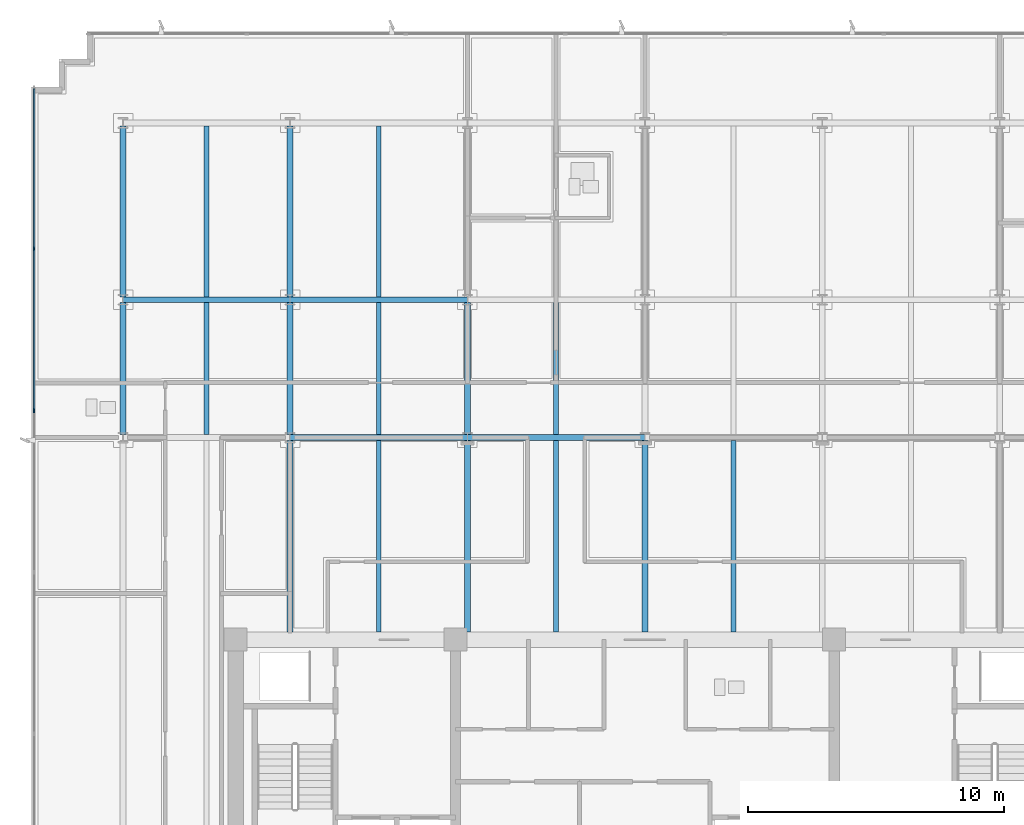
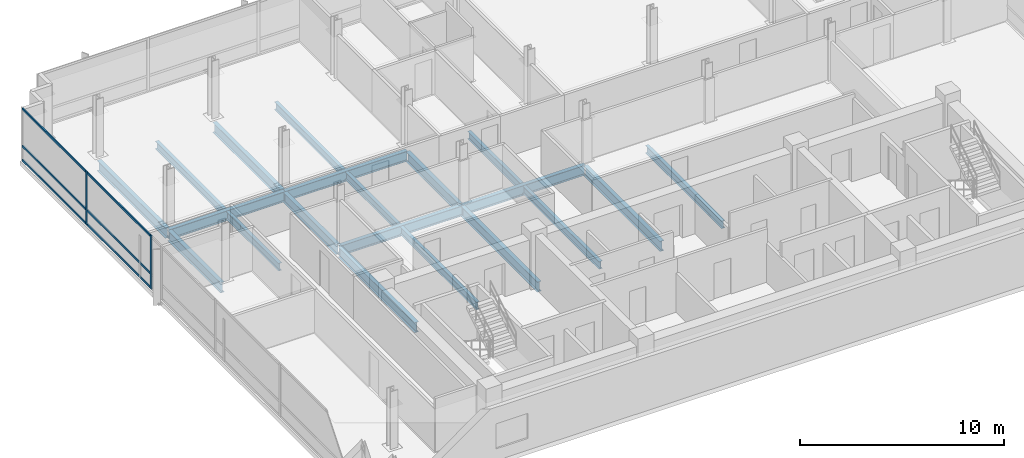
# One storey, part 4 of 18: 20 beams, 8 members, 1 element without a shape of its own.
"""IFC4 building model written with IfcOpenShell, lengths in metres."""

from ifc_helpers import new_model, si_unit, direction, frame, origin, origin_2d, place, context, subcontext, project, spatial, rectangle, i_section, extrude, material, material_profile, profile_set, type_object, element, aggregate, save


model = new_model("IFC4")

# Units and contexts
model_context = context("Model", 3, precision=1e-05, world=origin(), true_north=direction((0.0, 1.0)))
body_context = subcontext(model_context, "Body", "Model", "MODEL_VIEW")
ifc_project = project(units=[si_unit("LENGTHUNIT", "METRE"), si_unit("AREAUNIT", "SQUARE_METRE"), si_unit("VOLUMEUNIT", "CUBIC_METRE"), si_unit("PLANEANGLEUNIT", "RADIAN"), si_unit("MASSUNIT", "GRAM", prefix="KILO")], contexts=[model_context])

# Site, building, storey
site_placement = place(None, origin())
site = spatial("IfcSite", under=ifc_project, at=site_placement, CompositionType="ELEMENT")
building_placement = place(site_placement, origin())
building = spatial("IfcBuilding", under=site, at=building_placement, Name="Solmavex Isthmus Hotel", CompositionType="ELEMENT")
storey_placement = place(building_placement, frame((0.0, 0.0, 283.35009765625)))
storey = spatial("IfcBuildingStorey", under=building, at=storey_placement, Name="L77", CompositionType="ELEMENT", Elevation=283.35009765625)

# Beams
ifc_material_1 = material(Name="Steel ASTM A992 Grade 50", Category="steel")
ifc_material_profile_1 = material_profile(ifc_material_1, i_section(OverallWidth=0.1904296875, OverallDepth=0.456787109375, WebThickness=0.009033203125, FlangeThickness=0.014404296875, FilletRadius=0.0126953125, at=origin_2d()), Name="W18X50")
ifc_profile_set_1 = profile_set([ifc_material_profile_1], Name="Steel ASTM A992 Grade 50")
beam_type_1 = type_object("IfcBeamType", Name="BM-BJ-W18X50", PredefinedType="JOIST", material=ifc_profile_set_1)
beam_1_placement = place(storey_placement, frame((-17.135986328125, 5.513916015625, -0.488525390625), z_axis=(0.0, 1.0, 0.0), x_axis=(-1.0, 0.0, 0.0)))
element("IfcBeam", 1, at=beam_1_placement, inside=storey, type_object=beam_type_1, Name="Secondary Floor Joist L77-J02", PredefinedType="JOIST", context=body_context, shape_type="SweptSolid", body=[
    extrude(i_section(OverallWidth=0.1904296875, OverallDepth=0.456787109375, WebThickness=0.009033203125, FlangeThickness=0.014404296875, FilletRadius=0.0126953125, at=origin_2d()), origin(), (0.0, 0.0, 1.0), 5.16015625),
])
beam_2_placement = place(storey_placement, frame((-17.135986328125, 10.90185546875, -0.488525390625), z_axis=(0.0, 1.0, 0.0), x_axis=(-1.0, 0.0, 0.0)))
element("IfcBeam", 2, at=beam_2_placement, inside=storey, type_object=beam_type_1, Name="Secondary Floor Joist L77-J03", PredefinedType="JOIST", context=body_context, shape_type="SweptSolid", body=[
    extrude(i_section(OverallWidth=0.1904296875, OverallDepth=0.456787109375, WebThickness=0.009033203125, FlangeThickness=0.014404296875, FilletRadius=0.0126953125, at=origin_2d()), origin(), (0.0, 0.0, 1.0), 6.682861328125),
])
beam_3_placement = place(storey_placement, frame((-10.404052734375, -2.199951171875, -0.488525390625), z_axis=(0.0, 1.0, 0.0), x_axis=(-1.0, 0.0, 0.0)))
element("IfcBeam", 3, at=beam_3_placement, inside=storey, type_object=beam_type_1, Name="Secondary Floor Joist L77-J04", PredefinedType="JOIST", context=body_context, shape_type="SweptSolid", body=[
    extrude(i_section(OverallWidth=0.1904296875, OverallDepth=0.456787109375, WebThickness=0.009033203125, FlangeThickness=0.014404296875, FilletRadius=0.0126953125, at=origin_2d()), origin(), (0.0, 0.0, 1.0), 7.486083984375),
])
beam_4_placement = place(storey_placement, frame((-10.404052734375, 5.513916015625, -0.488525390625), z_axis=(0.0, 1.0, 0.0), x_axis=(-1.0, 0.0, 0.0)))
element("IfcBeam", 4, at=beam_4_placement, inside=storey, type_object=beam_type_1, Name="Secondary Floor Joist L77-J05", PredefinedType="JOIST", context=body_context, shape_type="SweptSolid", body=[
    extrude(i_section(OverallWidth=0.1904296875, OverallDepth=0.456787109375, WebThickness=0.009033203125, FlangeThickness=0.014404296875, FilletRadius=0.0126953125, at=origin_2d()), origin(), (0.0, 0.0, 1.0), 5.16015625),
])
beam_5_placement = place(storey_placement, frame((-10.404052734375, 10.90185546875, -0.488525390625), z_axis=(0.0, 1.0, 0.0), x_axis=(-1.0, 0.0, 0.0)))
element("IfcBeam", 5, at=beam_5_placement, inside=storey, type_object=beam_type_1, Name="Secondary Floor Joist L77-J06", PredefinedType="JOIST", context=body_context, shape_type="SweptSolid", body=[
    extrude(i_section(OverallWidth=0.1904296875, OverallDepth=0.456787109375, WebThickness=0.009033203125, FlangeThickness=0.014404296875, FilletRadius=0.0126953125, at=origin_2d()), origin(), (0.0, 0.0, 1.0), 6.682861328125),
])
beam_6_placement = place(storey_placement, frame((-3.468017578125, -2.199951171875, -0.488525390625), z_axis=(0.0, 1.0, 0.0), x_axis=(-1.0, 0.0, 0.0)))
element("IfcBeam", 6, at=beam_6_placement, inside=storey, type_object=beam_type_1, Name="Secondary Floor Joist L77-J07", PredefinedType="JOIST", context=body_context, shape_type="SweptSolid", body=[
    extrude(i_section(OverallWidth=0.1904296875, OverallDepth=0.456787109375, WebThickness=0.009033203125, FlangeThickness=0.014404296875, FilletRadius=0.0126953125, at=origin_2d()), origin(), (0.0, 0.0, 1.0), 7.486083984375),
])
beam_7_placement = place(storey_placement, frame((-3.468017578125, 5.513916015625, -0.488525390625), z_axis=(0.0, 1.0, 0.0), x_axis=(-1.0, 0.0, 0.0)))
element("IfcBeam", 7, at=beam_7_placement, inside=storey, type_object=beam_type_1, Name="Secondary Floor Joist L77-J08", PredefinedType="JOIST", context=body_context, shape_type="SweptSolid", body=[
    extrude(i_section(OverallWidth=0.1904296875, OverallDepth=0.456787109375, WebThickness=0.009033203125, FlangeThickness=0.014404296875, FilletRadius=0.0126953125, at=origin_2d()), origin(), (0.0, 0.0, 1.0), 5.16015625),
])
beam_8_placement = place(storey_placement, frame((3.468017578125, -2.199951171875, -0.488525390625), z_axis=(0.0, 1.0, 0.0), x_axis=(-1.0, 0.0, 0.0)))
element("IfcBeam", 8, at=beam_8_placement, inside=storey, type_object=beam_type_1, Name="Secondary Floor Joist L77-J10", PredefinedType="JOIST", context=body_context, shape_type="SweptSolid", body=[
    extrude(i_section(OverallWidth=0.1904296875, OverallDepth=0.456787109375, WebThickness=0.009033203125, FlangeThickness=0.014404296875, FilletRadius=0.0126953125, at=origin_2d()), origin(), (0.0, 0.0, 1.0), 7.486083984375),
])
ifc_material_profile_2 = material_profile(ifc_material_1, i_section(OverallWidth=0.227783203125, OverallDepth=0.602783203125, WebThickness=0.010498046875, FlangeThickness=0.014892578125, FilletRadius=0.01513671875, at=origin_2d()), Name="W24X68")
ifc_profile_set_2 = profile_set([ifc_material_profile_2], Name="Steel ASTM A992 Grade 50")
beam_type_2 = type_object("IfcBeamType", Name="BM-BM-W24X68", PredefinedType="BEAM", material=ifc_profile_set_2)
for number, where, z_axis, x_axis, name in (
    (9, (-13.8720703125, 5.39990234375, -0.5615234375), (1.0, 0.0, 0.0), (0.0, 1.0, 0.0), "Floor Girder L77-UG04"),
    (10, (-6.93603515625, 5.39990234375, -0.5615234375), (1.0, 0.0, 0.0), (0.0, 1.0, 0.0), "Floor Girder L77-UG05"),
):
    element("IfcBeam", number, at=place(storey_placement, frame(where, z_axis=z_axis, x_axis=x_axis)), inside=storey, type_object=beam_type_2, Name=name, PredefinedType="BEAM", context=body_context, shape_type="SweptSolid", body=[
        extrude(i_section(OverallWidth=0.227783203125, OverallDepth=0.602783203125, WebThickness=0.010498046875, FlangeThickness=0.014892578125, FilletRadius=0.01513671875, at=origin_2d()), origin(), (0.0, 0.0, 1.0), 6.93603515625),
    ])
beam_9_placement = place(storey_placement, frame((-20.39990234375, 10.7880859375, -0.5615234375), z_axis=(1.0, 0.0, 0.0), x_axis=(0.0, 1.0, 0.0)))
element("IfcBeam", 11, at=beam_9_placement, inside=storey, type_object=beam_type_2, Name="Floor Girder L77-UG09", PredefinedType="BEAM", context=body_context, shape_type="SweptSolid", body=[
    extrude(i_section(OverallWidth=0.227783203125, OverallDepth=0.602783203125, WebThickness=0.010498046875, FlangeThickness=0.014892578125, FilletRadius=0.01513671875, at=origin_2d()), origin(), (0.0, 0.0, 1.0), 6.52783203125),
])
beam_10_placement = place(storey_placement, frame((-13.8720703125, 10.7880859375, -0.5615234375), z_axis=(1.0, 0.0, 0.0), x_axis=(0.0, 1.0, 0.0)))
element("IfcBeam", 12, at=beam_10_placement, inside=storey, type_object=beam_type_2, Name="Floor Girder L77-UG10", PredefinedType="BEAM", context=body_context, shape_type="SweptSolid", body=[
    extrude(i_section(OverallWidth=0.227783203125, OverallDepth=0.602783203125, WebThickness=0.010498046875, FlangeThickness=0.014892578125, FilletRadius=0.01513671875, at=origin_2d()), origin(), (0.0, 0.0, 1.0), 6.93603515625),
])
beam_11_placement = place(storey_placement, frame((-13.8720703125, -2.199951171875, -0.5615234375), z_axis=(0.0, 1.0, 0.0), x_axis=(-1.0, 0.0, 0.0)))
element("IfcBeam", 13, at=beam_11_placement, inside=storey, type_object=beam_type_2, Name="Floor Beam L77-VG24", PredefinedType="BEAM", context=body_context, shape_type="SweptSolid", body=[
    extrude(i_section(OverallWidth=0.227783203125, OverallDepth=0.602783203125, WebThickness=0.010498046875, FlangeThickness=0.014892578125, FilletRadius=0.01513671875, at=origin_2d()), origin(), (0.0, 0.0, 1.0), 7.486083984375),
])
beam_12_placement = place(storey_placement, frame((-13.8720703125, 5.513916015625, -0.5615234375), z_axis=(0.0, 1.0, 0.0), x_axis=(-1.0, 0.0, 0.0)))
element("IfcBeam", 14, at=beam_12_placement, inside=storey, type_object=beam_type_2, Name="Floor Beam L77-VG25", PredefinedType="BEAM", context=body_context, shape_type="SweptSolid", body=[
    extrude(i_section(OverallWidth=0.227783203125, OverallDepth=0.602783203125, WebThickness=0.010498046875, FlangeThickness=0.014892578125, FilletRadius=0.01513671875, at=origin_2d()), origin(), (0.0, 0.0, 1.0), 5.16015625),
])
beam_13_placement = place(storey_placement, frame((-13.8720703125, 10.90185546875, -0.5615234375), z_axis=(0.0, 1.0, 0.0), x_axis=(-1.0, 0.0, 0.0)))
element("IfcBeam", 15, at=beam_13_placement, inside=storey, type_object=beam_type_2, Name="Floor Beam L77-VG26", PredefinedType="BEAM", context=body_context, shape_type="SweptSolid", body=[
    extrude(i_section(OverallWidth=0.227783203125, OverallDepth=0.602783203125, WebThickness=0.010498046875, FlangeThickness=0.014892578125, FilletRadius=0.01513671875, at=origin_2d()), origin(), (0.0, 0.0, 1.0), 6.682861328125),
])
beam_14_placement = place(storey_placement, frame((-6.93603515625, -2.199951171875, -0.5615234375), z_axis=(0.0, 1.0, 0.0), x_axis=(-1.0, 0.0, 0.0)))
element("IfcBeam", 16, at=beam_14_placement, inside=storey, type_object=beam_type_2, Name="Floor Beam L77-VG27", PredefinedType="BEAM", context=body_context, shape_type="SweptSolid", body=[
    extrude(i_section(OverallWidth=0.227783203125, OverallDepth=0.602783203125, WebThickness=0.010498046875, FlangeThickness=0.014892578125, FilletRadius=0.01513671875, at=origin_2d()), origin(), (0.0, 0.0, 1.0), 7.486083984375),
])
beam_15_placement = place(storey_placement, frame((-6.93603515625, 5.513916015625, -0.5615234375), z_axis=(0.0, 1.0, 0.0), x_axis=(-1.0, 0.0, 0.0)))
element("IfcBeam", 17, at=beam_15_placement, inside=storey, type_object=beam_type_2, Name="Floor Beam L77-VG28", PredefinedType="BEAM", context=body_context, shape_type="SweptSolid", body=[
    extrude(i_section(OverallWidth=0.227783203125, OverallDepth=0.602783203125, WebThickness=0.010498046875, FlangeThickness=0.014892578125, FilletRadius=0.01513671875, at=origin_2d()), origin(), (0.0, 0.0, 1.0), 5.16015625),
])
beam_16_placement = place(storey_placement, frame((0.0, -2.199951171875, -0.5615234375), z_axis=(0.0, 1.0, 0.0), x_axis=(-1.0, 0.0, 0.0)))
element("IfcBeam", 18, at=beam_16_placement, inside=storey, type_object=beam_type_2, Name="Floor Beam L77-VG30", PredefinedType="BEAM", context=body_context, shape_type="SweptSolid", body=[
    extrude(i_section(OverallWidth=0.227783203125, OverallDepth=0.602783203125, WebThickness=0.010498046875, FlangeThickness=0.014892578125, FilletRadius=0.01513671875, at=origin_2d()), origin(), (0.0, 0.0, 1.0), 7.486083984375),
])
ifc_material_profile_3 = material_profile(ifc_material_1, i_section(OverallWidth=0.230224609375, OverallDepth=0.617431640625, WebThickness=0.01318359375, FlangeThickness=0.022216796875, FilletRadius=0.01513671875, at=origin_2d()), Name="W24X94")
ifc_profile_set_3 = profile_set([ifc_material_profile_3], Name="Steel ASTM A992 Grade 50")
beam_type_3 = type_object("IfcBeamType", Name="BM-SP-W24X94", PredefinedType="SPANDREL", material=ifc_profile_set_3)
beam_17_placement = place(storey_placement, frame((-20.39990234375, 5.513916015625, -0.56884765625), z_axis=(0.0, 1.0, 0.0), x_axis=(-1.0, 0.0, 0.0)))
element("IfcBeam", 19, at=beam_17_placement, inside=storey, type_object=beam_type_3, Name="Floor Beam L77-VG22", PredefinedType="SPANDREL", context=body_context, shape_type="SweptSolid", body=[
    extrude(i_section(OverallWidth=0.230224609375, OverallDepth=0.617431640625, WebThickness=0.01318359375, FlangeThickness=0.022216796875, FilletRadius=0.01513671875, at=origin_2d()), origin(), (0.0, 0.0, 1.0), 5.16015625),
])
beam_18_placement = place(storey_placement, frame((-20.39990234375, 10.90185546875, -0.56884765625), z_axis=(0.0, 1.0, 0.0), x_axis=(-1.0, 0.0, 0.0)))
element("IfcBeam", 20, at=beam_18_placement, inside=storey, type_object=beam_type_3, Name="Floor Beam L77-VG23", PredefinedType="SPANDREL", context=body_context, shape_type="SweptSolid", body=[
    extrude(i_section(OverallWidth=0.230224609375, OverallDepth=0.617431640625, WebThickness=0.01318359375, FlangeThickness=0.022216796875, FilletRadius=0.01513671875, at=origin_2d()), origin(), (0.0, 0.0, 1.0), 6.682861328125),
])

# Curtain wall, members
ifc_material_2 = material(Name="Aluminium alloy 6063-T6", Category="aluminium")
curtain_wall_type = type_object("IfcCurtainWallType", Name="CW-SYS-05", PredefinedType="NOTDEFINED", material=ifc_material_2)
curtain_wall_placement = place(storey_placement, origin())
curtain_wall = element("IfcCurtainWall", 21, at=curtain_wall_placement, inside=storey, type_object=curtain_wall_type, Name="Stick Curtain Wall CWL-L77-W1", PredefinedType="NOTDEFINED")
ifc_material_profile_4 = material_profile(ifc_material_2, rectangle(XDim=0.06494140625, YDim=0.159912109375, at=origin_2d()), Name="CWM-65X160")
ifc_profile_set_4 = profile_set([ifc_material_profile_4], Name="Aluminium alloy 6063-T6")
member_type_1 = type_object("IfcMemberType", Name="CW-SYS-05-MUL", PredefinedType="MULLION", material=ifc_profile_set_4)
member_1_placement = place(storey_placement, frame((-23.8798828125, 6.4599609375, 0.0), z_axis=(0.0, 0.0, 1.0), x_axis=(-1.0, 0.0, 0.0)))
member_1 = element("IfcMember", 22, at=member_1_placement, type_object=member_type_1, Name="CW-05 mullion 4", PredefinedType="MULLION", context=body_context, shape_type="SweptSolid", body=[
    extrude(rectangle(XDim=0.06494140625, YDim=0.159912109375, at=origin_2d()), origin(), (0.0, 0.0, 1.0), 3.18994140625),
])
member_2_placement = place(storey_placement, frame((-23.8798828125, 12.780029296875, 0.0), z_axis=(0.0, 0.0, 1.0), x_axis=(-1.0, 0.0, 0.0)))
member_2 = element("IfcMember", 23, at=member_2_placement, type_object=member_type_1, Name="CW-05 mullion 5", PredefinedType="MULLION", context=body_context, shape_type="SweptSolid", body=[
    extrude(rectangle(XDim=0.06494140625, YDim=0.159912109375, at=origin_2d()), origin(), (0.0, 0.0, 1.0), 3.18994140625),
])
ifc_material_profile_5 = material_profile(ifc_material_2, rectangle(XDim=0.06494140625, YDim=0.125, at=origin_2d()), Name="CWT-65X125")
ifc_profile_set_5 = profile_set([ifc_material_profile_5], Name="Aluminium alloy 6063-T6")
member_type_2 = type_object("IfcMemberType", Name="CW-SYS-05-TRN", PredefinedType="USERDEFINED", material=ifc_profile_set_5)
member_3_placement = place(storey_placement, frame((-23.8798828125, 6.492431640625, 0.0625), z_axis=(0.0, 1.0, 0.0), x_axis=(-1.0, 0.0, 0.0)))
member_3 = element("IfcMember", 24, at=member_3_placement, type_object=member_type_2, Name="CW-05 transom 4.1", ObjectType="TRANSOM", PredefinedType="USERDEFINED", context=body_context, shape_type="SweptSolid", body=[
    extrude(rectangle(XDim=0.06494140625, YDim=0.125, at=origin_2d()), origin(), (0.0, 0.0, 1.0), 6.255126953125),
])
member_4_placement = place(storey_placement, frame((-23.8798828125, 6.492431640625, 0.89990234375), z_axis=(0.0, 1.0, 0.0), x_axis=(-1.0, 0.0, 0.0)))
member_4 = element("IfcMember", 25, at=member_4_placement, type_object=member_type_2, Name="CW-05 transom 4.2", ObjectType="TRANSOM", PredefinedType="USERDEFINED", context=body_context, shape_type="SweptSolid", body=[
    extrude(rectangle(XDim=0.06494140625, YDim=0.125, at=origin_2d()), origin(), (0.0, 0.0, 1.0), 6.255126953125),
])
member_5_placement = place(storey_placement, frame((-23.8798828125, 6.492431640625, 3.12744140625), z_axis=(0.0, 1.0, 0.0), x_axis=(-1.0, 0.0, 0.0)))
member_5 = element("IfcMember", 26, at=member_5_placement, type_object=member_type_2, Name="CW-05 transom 4.3", ObjectType="TRANSOM", PredefinedType="USERDEFINED", context=body_context, shape_type="SweptSolid", body=[
    extrude(rectangle(XDim=0.06494140625, YDim=0.125, at=origin_2d()), origin(), (0.0, 0.0, 1.0), 6.255126953125),
])
member_6_placement = place(storey_placement, frame((-23.8798828125, 12.8125, 0.0625), z_axis=(0.0, 1.0, 0.0), x_axis=(-1.0, 0.0, 0.0)))
member_6 = element("IfcMember", 27, at=member_6_placement, type_object=member_type_2, Name="CW-05 transom 5.1", ObjectType="TRANSOM", PredefinedType="USERDEFINED", context=body_context, shape_type="SweptSolid", body=[
    extrude(rectangle(XDim=0.06494140625, YDim=0.125, at=origin_2d()), origin(), (0.0, 0.0, 1.0), 6.222412109375),
])
member_7_placement = place(storey_placement, frame((-23.8798828125, 12.8125, 0.89990234375), z_axis=(0.0, 1.0, 0.0), x_axis=(-1.0, 0.0, 0.0)))
member_7 = element("IfcMember", 28, at=member_7_placement, type_object=member_type_2, Name="CW-05 transom 5.2", ObjectType="TRANSOM", PredefinedType="USERDEFINED", context=body_context, shape_type="SweptSolid", body=[
    extrude(rectangle(XDim=0.06494140625, YDim=0.125, at=origin_2d()), origin(), (0.0, 0.0, 1.0), 6.222412109375),
])
member_8_placement = place(storey_placement, frame((-23.8798828125, 12.8125, 3.12744140625), z_axis=(0.0, 1.0, 0.0), x_axis=(-1.0, 0.0, 0.0)))
member_8 = element("IfcMember", 29, at=member_8_placement, type_object=member_type_2, Name="CW-05 transom 5.3", ObjectType="TRANSOM", PredefinedType="USERDEFINED", context=body_context, shape_type="SweptSolid", body=[
    extrude(rectangle(XDim=0.06494140625, YDim=0.125, at=origin_2d()), origin(), (0.0, 0.0, 1.0), 6.222412109375),
])
aggregate(curtain_wall, [member_1, member_2, member_3, member_4, member_5, member_6, member_7, member_8])

save(model, "model.ifc")
